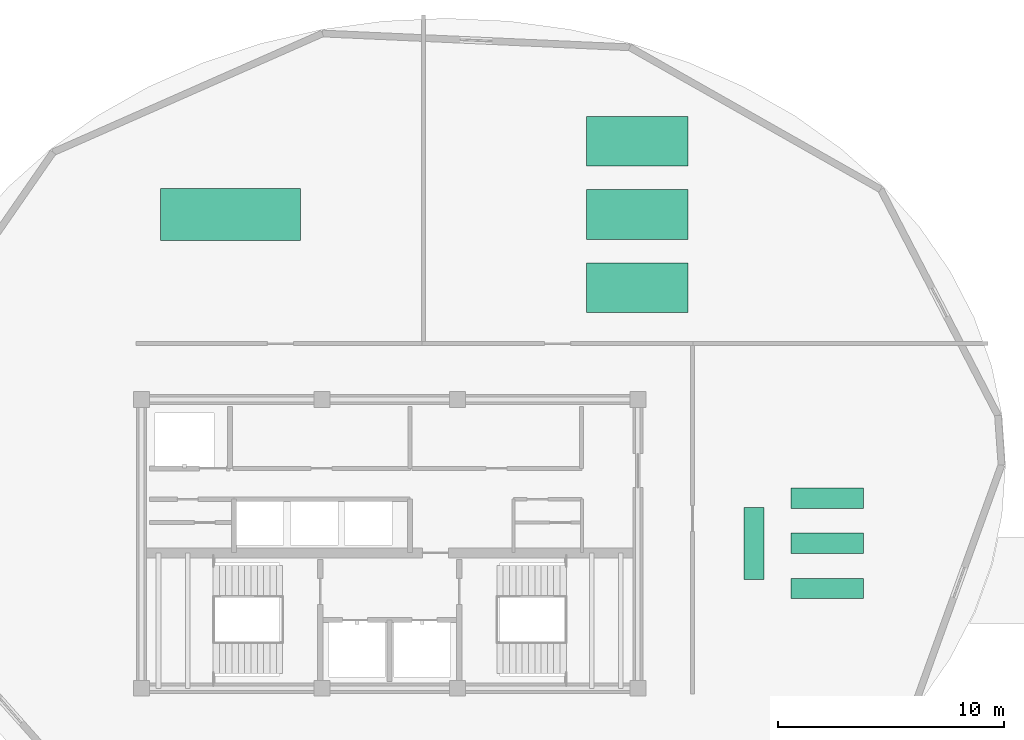
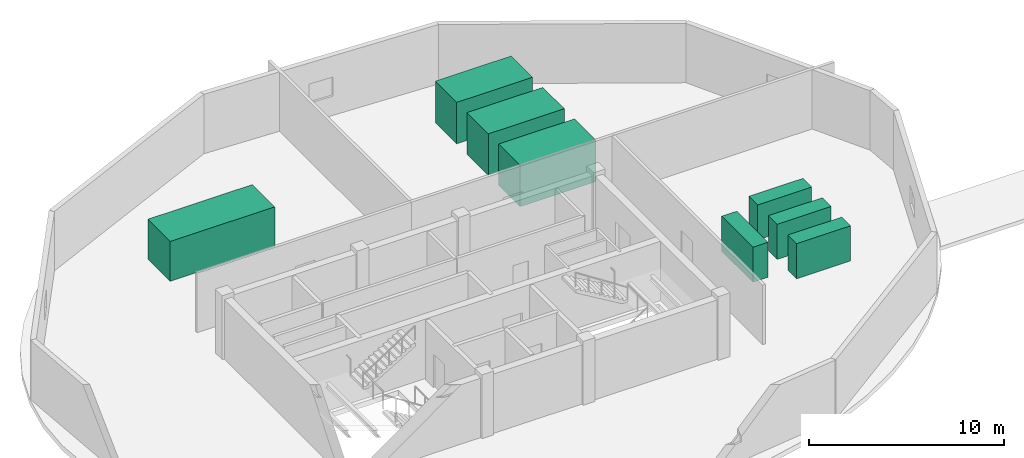
# One storey, part 5 of 5: 4 electric distribution boards, 3 air to air heat recovery elements, 1 chiller.
"""IFC4 building model written with IfcOpenShell, lengths in metres."""

from ifc_helpers import new_model, si_unit, direction, frame, origin, origin_2d, place, context, subcontext, project, spatial, rectangle, extrude, material, type_object, element, save


model = new_model("IFC4")

# Units and contexts
model_context = context("Model", 3, precision=1e-05, world=origin(), true_north=direction((0.0, 1.0)))
body_context = subcontext(model_context, "Body", "Model", "MODEL_VIEW")
ifc_project = project(units=[si_unit("LENGTHUNIT", "METRE"), si_unit("AREAUNIT", "SQUARE_METRE"), si_unit("VOLUMEUNIT", "CUBIC_METRE"), si_unit("PLANEANGLEUNIT", "RADIAN"), si_unit("MASSUNIT", "GRAM", prefix="KILO")], contexts=[model_context])

# Site, building, storey
site_placement = place(None, origin())
site = spatial("IfcSite", under=ifc_project, at=site_placement, CompositionType="ELEMENT")
building_placement = place(site_placement, origin())
building = spatial("IfcBuilding", under=site, at=building_placement, Name="Kazevale Care Tower and Concert Hall", CompositionType="ELEMENT")
storey_placement = place(building_placement, frame((0.0, 0.0, 292.800048828125)))
storey = spatial("IfcBuildingStorey", under=building, at=storey_placement, Name="L77", CompositionType="ELEMENT", Elevation=292.800048828125)

# Electric distribution boards
ifc_material = material(Name="Aluminium 6063-T6", Category="aluminium")
electric_distribution_board_type = type_object("IfcElectricDistributionBoardType", Name="Crown Switchgear Board 3200x900", PredefinedType="SWITCHBOARD", material=ifc_material)
for number, where, z_axis, x_axis, name in (
    (1, (52.39990234375, 30.02392578125, 0.0), (0.0, 0.0, 1.0), (1.0, 0.0, 0.0), "Crown Switchgear Board L77-1"),
    (2, (52.39990234375, 28.02392578125, 0.0), (0.0, 0.0, 1.0), (1.0, 0.0, 0.0), "Crown Switchgear Board L77-2"),
    (3, (52.39990234375, 32.02392578125, 0.0), (0.0, 0.0, 1.0), (1.0, 0.0, 0.0), "Crown Switchgear Board L77-3"),
    (4, (49.14990234375, 30.02392578125, 0.0), (0.0, 0.0, 1.0), (0.0, 1.0, 0.0), "Crown Switchgear Board L77-4"),
):
    element("IfcElectricDistributionBoard", number, at=place(storey_placement, frame(where, z_axis=z_axis, x_axis=x_axis)), inside=storey, type_object=electric_distribution_board_type, Name=name, PredefinedType="SWITCHBOARD", context=body_context, shape_type="SweptSolid", body=[
        extrude(rectangle(XDim=3.199951171875, YDim=0.89990234375, at=origin_2d()), origin(), (0.0, 0.0, 1.0), 2.199951171875),
    ])

# Air to air heat recovery
air_to_air_heat_recovery_type = type_object("IfcAirToAirHeatRecoveryType", Name="Enthalpy Heat Recovery Unit 4500x2200", PredefinedType="ROTARYWHEEL", material=ifc_material)
for number, where, z_axis, x_axis, name in (
    (5, (43.97509765625, 44.60009765625, 0.0), (0.0, 0.0, 1.0), (1.0, 0.0, 0.0), "Enthalpy Heat Recovery Unit L77-1"),
    (6, (43.97509765625, 47.85009765625, 0.0), (0.0, 0.0, 1.0), (1.0, 0.0, 0.0), "Enthalpy Heat Recovery Unit L77-2"),
    (7, (43.97509765625, 41.35009765625, 0.0), (0.0, 0.0, 1.0), (1.0, 0.0, 0.0), "Enthalpy Heat Recovery Unit L77-3"),
):
    element("IfcAirToAirHeatRecovery", number, at=place(storey_placement, frame(where, z_axis=z_axis, x_axis=x_axis)), inside=storey, type_object=air_to_air_heat_recovery_type, Name=name, PredefinedType="ROTARYWHEEL", context=body_context, shape_type="SweptSolid", body=[
        extrude(rectangle(XDim=4.5, YDim=2.199951171875, at=origin_2d()), origin(), (0.0, 0.0, 1.0), 2.60009765625),
    ])

# Chiller
chiller_type = type_object("IfcChillerType", Name="Water-Cooled Chiller 2200 kW 6200x2300", PredefinedType="WATERCOOLED", material=ifc_material)
chiller_placement = place(storey_placement, frame((25.94091796875, 44.60009765625, 0.0), z_axis=(0.0, 0.0, 1.0), x_axis=(1.0, 0.0, 0.0)))
element("IfcChiller", 8, at=chiller_placement, inside=storey, type_object=chiller_type, Name="Water-Cooled Chiller L77-1", PredefinedType="WATERCOOLED", context=body_context, shape_type="SweptSolid", body=[
    extrude(rectangle(XDim=6.199951171875, YDim=2.300048828125, at=origin_2d()), origin(), (0.0, 0.0, 1.0), 2.5),
])

save(model, "model.ifc")
